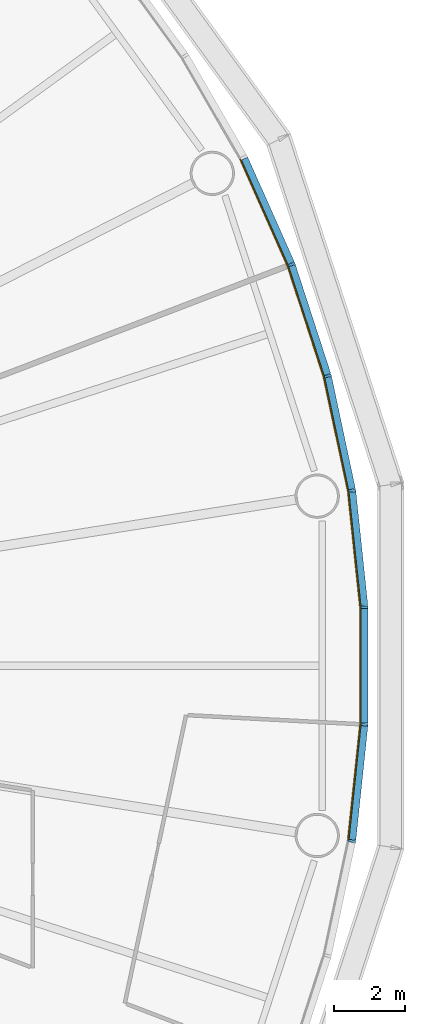
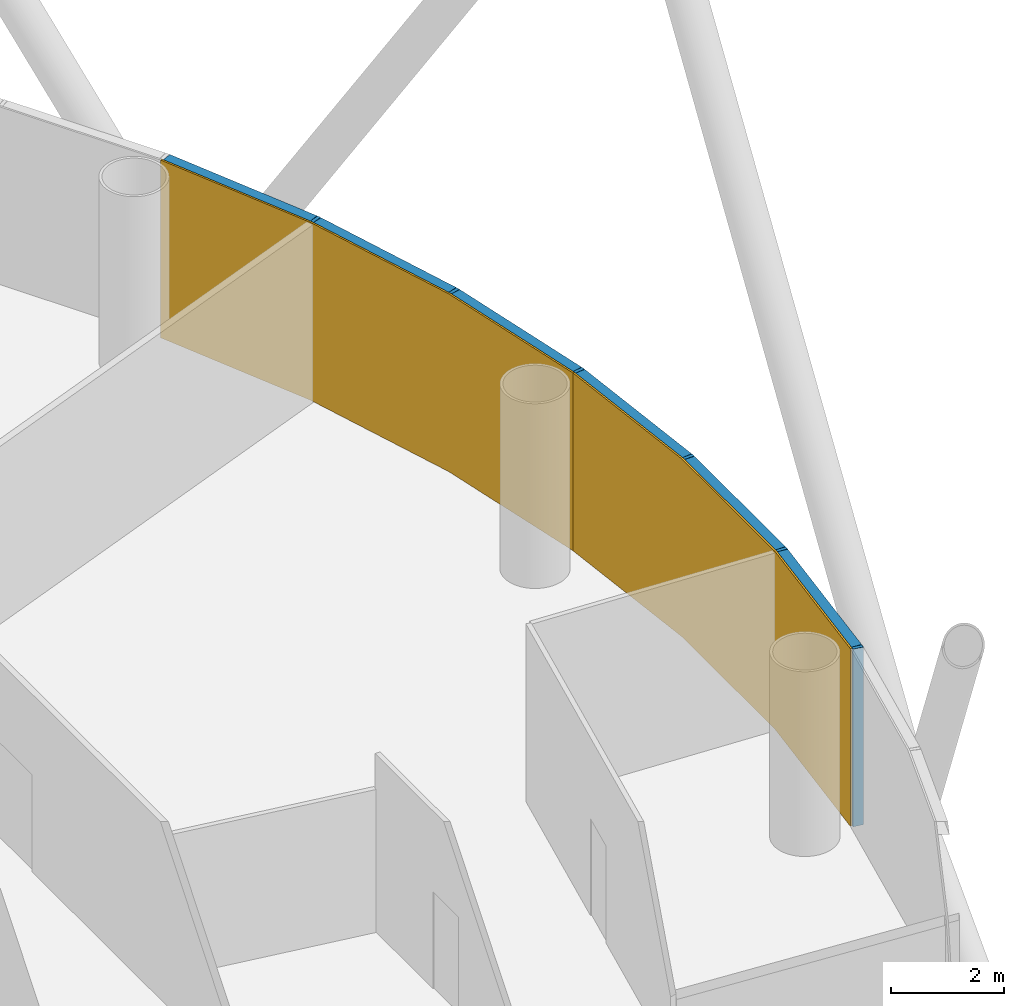
# One storey, part 12 of 14: 12 members, 2 curtain walls.
"""IFC4 building model written with IfcOpenShell, lengths in metres."""

from ifc_helpers import new_model, si_unit, direction, frame, origin, origin_2d, place, context, subcontext, project, spatial, polyline, rectangle, outline, extrude, material, layer, layer_set, material_profile, profile_set, type_object, element, aggregate, save


model = new_model("IFC4")

# Units and contexts
model_context = context("Model", 3, precision=1e-05, world=origin(), true_north=direction((0.0, 1.0)))
body_context = subcontext(model_context, "Body", "Model", "MODEL_VIEW")
ifc_project = project(units=[si_unit("LENGTHUNIT", "METRE"), si_unit("AREAUNIT", "SQUARE_METRE"), si_unit("VOLUMEUNIT", "CUBIC_METRE"), si_unit("PLANEANGLEUNIT", "RADIAN"), si_unit("MASSUNIT", "GRAM", prefix="KILO")], contexts=[model_context])

# Member
ifc_material_1 = material(Name="Anodised aluminium", Category="aluminium")
ifc_material_profile_1 = material_profile(ifc_material_1, rectangle(XDim=0.070068359375, YDim=0.199951171875, at=origin_2d()), Name="Mullion 70 x 200 mm anodised aluminium")
ifc_profile_set_1 = profile_set([ifc_material_profile_1], Name="Anodised aluminium")
member_type_1 = type_object("IfcMemberType", Name="Mullion 70 x 200 mm anodised aluminium", PredefinedType="MULLION", material=ifc_profile_set_1)
site_placement = place(None, origin())
building_placement = place(site_placement, origin())
storey_placement = place(building_placement, frame((0.0, 0.0, 80.0)))
member_1_placement = place(storey_placement, frame((121.2109375, 84.943359375, 0.0), z_axis=(0.0, 0.0, 1.0), x_axis=(-0.15643446504, 0.987688340595, 0.0)))
member_1 = element("IfcMember", 1, at=member_1_placement, type_object=member_type_1, Name="MULLION L17-00", PredefinedType="MULLION", context=body_context, shape_type="SweptSolid", body=[
    extrude(rectangle(XDim=0.070068359375, YDim=0.199951171875, at=origin_2d()), origin(), (0.0, 0.0, 1.0), 3.85009765625),
])

member_2_placement = place(storey_placement, frame((120.523193359375, 88.1787109375, 0.0), z_axis=(0.0, 0.0, 1.0), x_axis=(-0.258819045103, 0.965925826289, 0.0)))
member_2 = element("IfcMember", 2, at=member_2_placement, type_object=member_type_1, Name="MULLION L17-01", PredefinedType="MULLION", context=body_context, shape_type="SweptSolid", body=[
    extrude(rectangle(XDim=0.070068359375, YDim=0.199951171875, at=origin_2d()), origin(), (0.0, 0.0, 1.0), 3.85009765625),
])

member_3_placement = place(storey_placement, frame((119.501220703125, 91.324462890625, 0.0), z_axis=(0.0, 0.0, 1.0), x_axis=(-0.358367949545, 0.933580426497, 0.0)))
member_3 = element("IfcMember", 3, at=member_3_placement, type_object=member_type_1, Name="MULLION L17-02", PredefinedType="MULLION", context=body_context, shape_type="SweptSolid", body=[
    extrude(rectangle(XDim=0.070068359375, YDim=0.199951171875, at=origin_2d()), origin(), (0.0, 0.0, 1.0), 3.85009765625),
])

member_4_placement = place(storey_placement, frame((121.2109375, 75.056640625, 0.0), z_axis=(0.0, 0.0, 1.0), x_axis=(0.15643446504, 0.987688340595, 0.0)))
member_4 = element("IfcMember", 4, at=member_4_placement, type_object=member_type_1, Name="MULLION L17-57", PredefinedType="MULLION", context=body_context, shape_type="SweptSolid", body=[
    extrude(rectangle(XDim=0.070068359375, YDim=0.199951171875, at=origin_2d()), origin(), (0.0, 0.0, 1.0), 3.85009765625),
])

member_5_placement = place(storey_placement, frame((121.556640625, 78.34619140625, 0.0), z_axis=(0.0, 0.0, 1.0), x_axis=(0.052335956243, 0.998629534755, 0.0)))
member_5 = element("IfcMember", 5, at=member_5_placement, type_object=member_type_1, Name="MULLION L17-58", PredefinedType="MULLION", context=body_context, shape_type="SweptSolid", body=[
    extrude(rectangle(XDim=0.070068359375, YDim=0.199951171875, at=origin_2d()), origin(), (0.0, 0.0, 1.0), 3.85009765625),
])

member_6_placement = place(storey_placement, frame((121.556640625, 81.65380859375, 0.0), z_axis=(0.0, 0.0, 1.0), x_axis=(-0.052335956243, 0.998629534755, 0.0)))
member_6 = element("IfcMember", 6, at=member_6_placement, type_object=member_type_1, Name="MULLION L17-59", PredefinedType="MULLION", context=body_context, shape_type="SweptSolid", body=[
    extrude(rectangle(XDim=0.070068359375, YDim=0.199951171875, at=origin_2d()), origin(), (0.0, 0.0, 1.0), 3.85009765625),
])

ifc_material_2 = material(Name="Anodised aluminium", Category="aluminium")
ifc_material_profile_2 = material_profile(ifc_material_2, rectangle(XDim=0.199951171875, YDim=0.18994140625, at=origin_2d()), Name="Transom 190 x 200 mm anodised aluminium")
ifc_profile_set_2 = profile_set([ifc_material_profile_2], Name="Anodised aluminium")
member_type_2 = type_object("IfcMemberType", Name="Transom 190 x 200 mm anodised aluminium", PredefinedType="USERDEFINED", material=ifc_profile_set_2)
member_7_placement = place(storey_placement, frame((121.20263671875, 84.982666015625, 3.7548828125), z_axis=(-0.207885898771, 0.978153082647, 0.0), x_axis=(-0.978153082647, -0.207885898771, 0.0)))
member_7 = element("IfcMember", 7, at=member_7_placement, type_object=member_type_2, Name="TRANSOM L17-00", ObjectType="TRANSOM", PredefinedType="USERDEFINED", context=body_context, shape_type="SweptSolid", body=[
    extrude(rectangle(XDim=0.199951171875, YDim=0.18994140625, at=origin_2d()), origin(), (0.0, 0.0, 1.0), 3.227294921875),
])

member_8_placement = place(storey_placement, frame((120.510986328125, 88.217041015625, 3.7548828125), z_axis=(-0.309046726844, 0.951046855117, 0.0), x_axis=(-0.951046855117, -0.309046726844, 0.0)))
member_8 = element("IfcMember", 8, at=member_8_placement, type_object=member_type_2, Name="TRANSOM L17-01", ObjectType="TRANSOM", PredefinedType="USERDEFINED", context=body_context, shape_type="SweptSolid", body=[
    extrude(rectangle(XDim=0.199951171875, YDim=0.18994140625, at=origin_2d()), origin(), (0.0, 0.0, 1.0), 3.22705078125),
])

member_9_placement = place(storey_placement, frame((119.48486328125, 91.361328125, 3.7548828125), z_axis=(-0.406728032322, 0.913549291349, 0.0), x_axis=(-0.913549291349, -0.406728032322, 0.0)))
member_9 = element("IfcMember", 9, at=member_9_placement, type_object=member_type_2, Name="TRANSOM L17-02", ObjectType="TRANSOM", PredefinedType="USERDEFINED", context=body_context, shape_type="SweptSolid", body=[
    extrude(rectangle(XDim=0.199951171875, YDim=0.18994140625, at=origin_2d()), origin(), (0.0, 0.0, 1.0), 3.22705078125),
])

member_10_placement = place(storey_placement, frame((121.21533203125, 75.0966796875, 3.7548828125), z_axis=(0.104550890115, 0.994519537956, 0.0), x_axis=(-0.994519537956, 0.104550890115, 0.0)))
member_10 = element("IfcMember", 10, at=member_10_placement, type_object=member_type_2, Name="TRANSOM L17-57", ObjectType="TRANSOM", PredefinedType="USERDEFINED", context=body_context, shape_type="SweptSolid", body=[
    extrude(rectangle(XDim=0.199951171875, YDim=0.18994140625, at=origin_2d()), origin(), (0.0, 0.0, 1.0), 3.22705078125),
])

member_11_placement = place(storey_placement, frame((121.556884765625, 78.386474609375, 3.7548828125), z_axis=(0.0, 1.0, 0.0), x_axis=(-1.0, 0.0, 0.0)))
member_11 = element("IfcMember", 11, at=member_11_placement, type_object=member_type_2, Name="TRANSOM L17-58", ObjectType="TRANSOM", PredefinedType="USERDEFINED", context=body_context, shape_type="SweptSolid", body=[
    extrude(rectangle(XDim=0.199951171875, YDim=0.18994140625, at=origin_2d()), origin(), (0.0, 0.0, 1.0), 3.22705078125),
])

member_12_placement = place(storey_placement, frame((121.552734375, 81.69384765625, 3.7548828125), z_axis=(-0.104550890115, 0.994519537956, 0.0), x_axis=(-0.994519537956, -0.104550890115, 0.0)))
member_12 = element("IfcMember", 12, at=member_12_placement, type_object=member_type_2, Name="TRANSOM L17-59", ObjectType="TRANSOM", PredefinedType="USERDEFINED", context=body_context, shape_type="SweptSolid", body=[
    extrude(rectangle(XDim=0.199951171875, YDim=0.18994140625, at=origin_2d()), origin(), (0.0, 0.0, 1.0), 3.22705078125),
])

# Site, building, storey
site = spatial("IfcSite", under=ifc_project, at=site_placement, CompositionType="ELEMENT")
building = spatial("IfcBuilding", under=site, at=building_placement, Name="Entoto Ring Tower", CompositionType="ELEMENT")
storey = spatial("IfcBuildingStorey", under=building, at=storey_placement, Name="L17", CompositionType="ELEMENT", Elevation=80.0)

# Curtain wall
ifc_material_3 = material(Name="Clear low-iron glass", Category="glass")
ifc_layer = layer(ifc_material_3, 0.035888671875)
ifc_layer_set = layer_set([ifc_layer], Name="Clear low-iron glass")
curtain_wall_type = type_object("IfcCurtainWallType", Name="Curtain wall system CW2 glazing 36 mm", PredefinedType="NOTDEFINED", material=ifc_layer_set)
curtain_wall_1_placement = place(storey_placement, origin())
curtain_wall_1 = element("IfcCurtainWall", 13, at=curtain_wall_1_placement, inside=storey, type_object=curtain_wall_type, Name="CW2 L17-01", PredefinedType="NOTDEFINED", context=body_context, shape_type="SweptSolid", body=[
    extrude(outline(polyline([(121.1123046875, 84.927734375), (120.4267578125, 88.15283203125), (119.40771484375, 91.28857421875), (118.066650390625, 94.30078125), (118.03466796875, 94.284423828125), (119.3740234375, 91.275634765625), (120.391845703125, 88.1435546875), (121.07666015625, 84.922119140625), (121.1123046875, 84.927734375)])), origin(), (0.0, 0.0, 1.0), 3.85009765625),
])

aggregate(curtain_wall_1, [member_1, member_2, member_3, member_7, member_8, member_9])

curtain_wall_2_placement = place(storey_placement, origin())
curtain_wall_2 = element("IfcCurtainWall", 14, at=curtain_wall_2_placement, inside=storey, type_object=curtain_wall_type, Name="CW2 L17-20", PredefinedType="NOTDEFINED", context=body_context, shape_type="SweptSolid", body=[
    extrude(outline(polyline([(121.1123046875, 75.072265625), (121.456787109375, 78.351318359375), (121.456787109375, 81.648681640625), (121.1123046875, 84.927734375), (121.07666015625, 84.922119140625), (121.4208984375, 81.646728515625), (121.4208984375, 78.353271484375), (121.07666015625, 75.077880859375), (121.1123046875, 75.072265625)])), origin(), (0.0, 0.0, 1.0), 3.85009765625),
])

aggregate(curtain_wall_2, [member_4, member_5, member_6, member_10, member_11, member_12])

save(model, "model.ifc")
